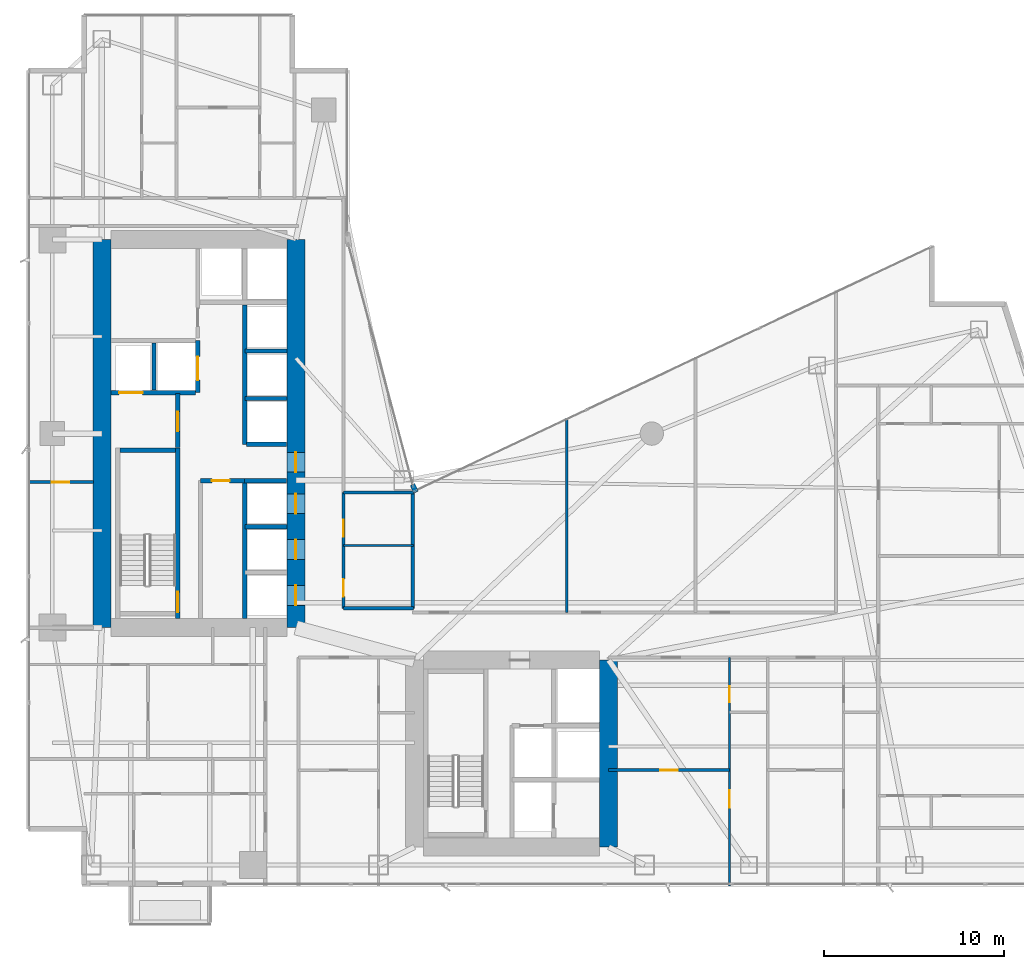
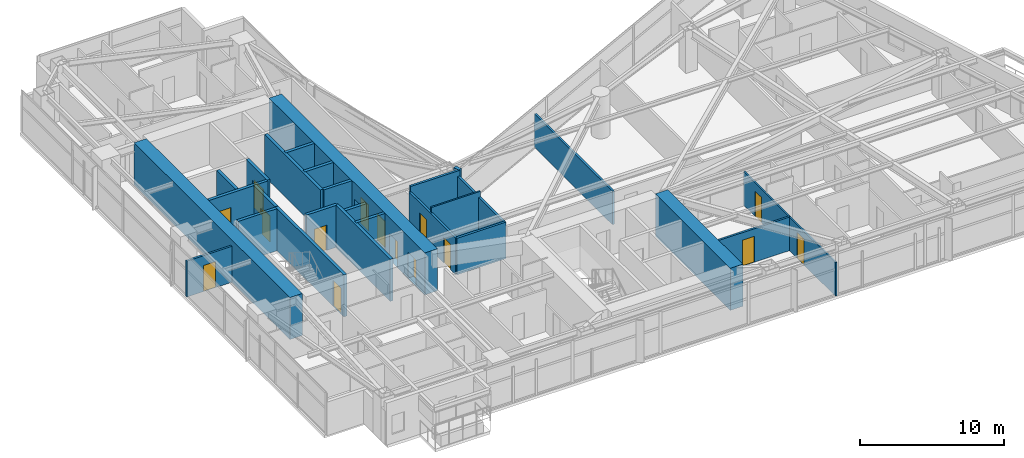
# One storey, part 23 of 29: 27 walls, 15 doors, 15 openings.
"""IFC4 building model written with IfcOpenShell, lengths in metres."""

from ifc_helpers import new_model, si_unit, direction, frame, frame_2d, origin, place, context, subcontext, project, spatial, rectangle, extrude, material, layer, layer_set, type_object, element, fill, save


model = new_model("IFC4")

# Units and contexts
model_context = context("Model", 3, precision=1e-05, world=origin(), true_north=direction((0.0, 1.0)))
body_context = subcontext(model_context, "Body", "Model", "MODEL_VIEW")
ifc_project = project(units=[si_unit("LENGTHUNIT", "METRE"), si_unit("AREAUNIT", "SQUARE_METRE"), si_unit("VOLUMEUNIT", "CUBIC_METRE"), si_unit("PLANEANGLEUNIT", "RADIAN"), si_unit("MASSUNIT", "GRAM", prefix="KILO")], contexts=[model_context])

# Site, building, storey
site_placement = place(None, origin())
site = spatial("IfcSite", under=ifc_project, at=site_placement, CompositionType="ELEMENT")
building_placement = place(site_placement, origin())
building = spatial("IfcBuilding", under=site, at=building_placement, Name="Calvorn Quay Hotel", CompositionType="ELEMENT")
storey_placement = place(building_placement, frame((0.0, 0.0, 34.60009765625)))
storey = spatial("IfcBuildingStorey", under=building, at=storey_placement, Name="L07", CompositionType="ELEMENT", Elevation=34.60009765625)

# Wall
ifc_material_1 = material(Name="Concrete C60", Category="concrete")
ifc_layer_1 = layer(ifc_material_1, 1.0)
ifc_layer_set_1 = layer_set([ifc_layer_1], Name="WL-CORE-1000")
wall_type_1 = type_object("IfcWallType", Name="WL-CORE-1000", PredefinedType="SHEAR", material=ifc_layer_set_1)
wall_1_placement = place(storey_placement, frame((4.199951171875, 16.800048828125, 0.0), z_axis=(0.0, 0.0, 1.0), x_axis=(0.0, 1.0, 0.0)))
element("IfcWall", 1, at=wall_1_placement, inside=storey, type_object=wall_type_1, Name="West Core Shear Wall W (L07)", PredefinedType="SHEAR", context=body_context, shape_type="SweptSolid", body=[
    extrude(rectangle(XDim=21.599853515625, YDim=1.0, at=frame_2d((10.7998046875, 0.0))), origin(), (0.0, 0.0, 1.0), 3.559814453125),
])

# Wall, openings, doors
wall_2_placement = place(storey_placement, frame((15.0, 16.800048828125, 0.0), z_axis=(0.0, 0.0, 1.0), x_axis=(0.0, 1.0, 0.0)))
wall_2 = element("IfcWall", 2, at=wall_2_placement, inside=storey, type_object=wall_type_1, Name="West Core Shear Wall E (L07)", PredefinedType="SHEAR", context=body_context, shape_type="SweptSolid", body=[
    extrude(rectangle(XDim=21.599853515625, YDim=1.0, at=frame_2d((10.7998046875, 0.0))), origin(), (0.0, 0.0, 1.0), 3.559814453125),
])
opening_1_placement = place(wall_2_placement, frame((8.64990234375, 0.0, 0.0)))
opening_1 = element("IfcOpeningElement", 3, at=opening_1_placement, cuts=wall_2, Name="Opening D-L07-CW1", PredefinedType="OPENING", context=body_context, shape_type="SweptSolid", body=[
    extrude(rectangle(XDim=1.10009765625, YDim=2.199951171875, at=frame_2d((0.550048828125, 1.10009765625))), frame((0.0, 0.510009765625, 0.0), z_axis=(0.0, -1.0, 0.0), x_axis=(1.0, 0.0, 0.0)), (0.0, 0.0, 1.0), 1.02001953125),
])
opening_2_placement = place(wall_2_placement, frame((1.25, 0.0, 0.0)))
opening_2 = element("IfcOpeningElement", 4, at=opening_2_placement, cuts=wall_2, Name="Opening LD-L07-L1", PredefinedType="OPENING", context=body_context, shape_type="SweptSolid", body=[
    extrude(rectangle(XDim=1.10009765625, YDim=2.199951171875, at=frame_2d((0.550048828125, 1.10009765625))), frame((0.0, 0.510009765625, 0.0), z_axis=(0.0, -1.0, 0.0), x_axis=(1.0, 0.0, 0.0)), (0.0, 0.0, 1.0), 1.02001953125),
])
opening_3_placement = place(wall_2_placement, frame((3.800048828125, 0.0, 0.0)))
opening_3 = element("IfcOpeningElement", 5, at=opening_3_placement, cuts=wall_2, Name="Opening LD-L07-L2", PredefinedType="OPENING", context=body_context, shape_type="SweptSolid", body=[
    extrude(rectangle(XDim=1.10009765625, YDim=2.199951171875, at=frame_2d((0.550048828125, 1.10009765625))), frame((0.0, 0.510009765625, 0.0), z_axis=(0.0, -1.0, 0.0), x_axis=(1.0, 0.0, 0.0)), (0.0, 0.0, 1.0), 1.02001953125),
])
opening_4_placement = place(wall_2_placement, frame((6.35009765625, 0.0, 0.0)))
opening_4 = element("IfcOpeningElement", 6, at=opening_4_placement, cuts=wall_2, Name="Opening LD-L07-L3", PredefinedType="OPENING", context=body_context, shape_type="SweptSolid", body=[
    extrude(rectangle(XDim=1.10009765625, YDim=2.199951171875, at=frame_2d((0.550048828125, 1.10009765625))), frame((0.0, 0.510009765625, 0.0), z_axis=(0.0, -1.0, 0.0), x_axis=(1.0, 0.0, 0.0)), (0.0, 0.0, 1.0), 1.02001953125),
])
ifc_material_2 = material(Name="Smoke-Sealed Steel Class A Fire Door", Category="steel")
door_type_1 = type_object("IfcDoorType", Name="DR-FFLOBBY-1100", OperationType="NOTDEFINED", PredefinedType="DOOR", material=ifc_material_2)
door_1_placement = place(opening_1_placement, origin())
door_1 = element("IfcDoor", 7, at=door_1_placement, inside=storey, type_object=door_type_1, Name="West Core Vestibule Fire Door (L07)", OperationType="SINGLE_SWING_RIGHT", OverallHeight=2.199951171875, OverallWidth=1.10009765625, PredefinedType="DOOR", context=body_context, shape_type="SweptSolid", body=[
    extrude(rectangle(XDim=1.10009765625, YDim=2.199951171875, at=frame_2d((0.550048828125, 1.10009765625))), frame((0.0, 0.02490234375, 0.0), z_axis=(0.0, -1.0, 0.0), x_axis=(1.0, 0.0, 0.0)), (0.0, 0.0, 1.0), 0.050048828125),
])
fill(opening_1, door_1)
ifc_material_3 = material(Name="Brushed Stainless Steel Sliding Lift Landing Door", Category="steel")
door_type_2 = type_object("IfcDoorType", Name="DR-LIFT-PASS-1100", OperationType="NOTDEFINED", PredefinedType="DOOR", material=ifc_material_3)
door_2_placement = place(opening_2_placement, origin())
door_2 = element("IfcDoor", 8, at=door_2_placement, inside=storey, type_object=door_type_2, Name="Low-Rise Lift PL-L1 Landing Door (L07)", OperationType="DOUBLE_DOOR_SLIDING", OverallHeight=2.199951171875, OverallWidth=1.10009765625, PredefinedType="DOOR", context=body_context, shape_type="SweptSolid", body=[
    extrude(rectangle(XDim=1.10009765625, YDim=2.199951171875, at=frame_2d((0.550048828125, 1.10009765625))), frame((0.0, 0.02490234375, 0.0), z_axis=(0.0, -1.0, 0.0), x_axis=(1.0, 0.0, 0.0)), (0.0, 0.0, 1.0), 0.050048828125),
])
fill(opening_2, door_2)
door_3_placement = place(opening_3_placement, origin())
door_3 = element("IfcDoor", 9, at=door_3_placement, inside=storey, type_object=door_type_2, Name="Low-Rise Lift PL-L2 Landing Door (L07)", OperationType="DOUBLE_DOOR_SLIDING", OverallHeight=2.199951171875, OverallWidth=1.10009765625, PredefinedType="DOOR", context=body_context, shape_type="SweptSolid", body=[
    extrude(rectangle(XDim=1.10009765625, YDim=2.199951171875, at=frame_2d((0.550048828125, 1.10009765625))), frame((0.0, 0.02490234375, 0.0), z_axis=(0.0, -1.0, 0.0), x_axis=(1.0, 0.0, 0.0)), (0.0, 0.0, 1.0), 0.050048828125),
])
fill(opening_3, door_3)
door_4_placement = place(opening_4_placement, origin())
door_4 = element("IfcDoor", 10, at=door_4_placement, inside=storey, type_object=door_type_2, Name="Low-Rise Lift PL-L3 Landing Door (L07)", OperationType="DOUBLE_DOOR_SLIDING", OverallHeight=2.199951171875, OverallWidth=1.10009765625, PredefinedType="DOOR", context=body_context, shape_type="SweptSolid", body=[
    extrude(rectangle(XDim=1.10009765625, YDim=2.199951171875, at=frame_2d((0.550048828125, 1.10009765625))), frame((0.0, 0.02490234375, 0.0), z_axis=(0.0, -1.0, 0.0), x_axis=(1.0, 0.0, 0.0)), (0.0, 0.0, 1.0), 0.050048828125),
])
fill(opening_4, door_4)

# Walls
wall_3_placement = place(storey_placement, frame((32.39990234375, 4.60009765625, 0.0), z_axis=(0.0, 0.0, 1.0), x_axis=(0.0, 1.0, 0.0)))
element("IfcWall", 11, at=wall_3_placement, inside=storey, type_object=wall_type_1, Name="East Core Shear Wall E (L07)", PredefinedType="SHEAR", context=body_context, shape_type="SweptSolid", body=[
    extrude(rectangle(XDim=10.39990234375, YDim=1.0, at=frame_2d((5.199951171875, 0.0))), origin(), (0.0, 0.0, 1.0), 3.559814453125),
])
ifc_material_4 = material(Name="Acoustic Fireboard Steel-Stud Partition", Category="steel")
ifc_layer_2 = layer(ifc_material_4, 0.179931640625)
ifc_layer_set_2 = layer_set([ifc_layer_2], Name="WL-CORR-FIRE-180")
wall_type_2 = type_object("IfcWallType", Name="WL-CORR-FIRE-180", PredefinedType="PARTITIONING", material=ifc_layer_set_2)
wall_4_placement = place(storey_placement, frame((17.64990234375, 17.8798828125, 0.0), z_axis=(0.0, 0.0, 1.0), x_axis=(1.0, 0.0, 0.0)))
element("IfcWall", 12, at=wall_4_placement, inside=storey, type_object=wall_type_2, Name="Partition Wall L07-WL-HK-S", PredefinedType="PARTITIONING", context=body_context, shape_type="SweptSolid", body=[
    extrude(rectangle(XDim=3.900146484375, YDim=0.179931640625, at=frame_2d((1.9501953125, 0.0))), origin(), (0.0, 0.0, 1.0), 3.08984375),
])
wall_5_placement = place(storey_placement, frame((17.64990234375, 24.320068359375, 0.0), z_axis=(0.0, 0.0, 1.0), x_axis=(1.0, 0.0, 0.0)))
element("IfcWall", 13, at=wall_5_placement, inside=storey, type_object=wall_type_2, Name="Partition Wall L07-WL-HK-N", PredefinedType="PARTITIONING", context=body_context, shape_type="SweptSolid", body=[
    extrude(rectangle(XDim=3.9501953125, YDim=0.179931640625, at=frame_2d((1.97509765625, 0.0))), origin(), (0.0, 0.0, 1.0), 3.559814453125),
])
wall_6_placement = place(storey_placement, frame((21.5, 17.8798828125, 0.0), z_axis=(0.0, 0.0, 1.0), x_axis=(0.0, 1.0, 0.0)))
element("IfcWall", 14, at=wall_6_placement, inside=storey, type_object=wall_type_2, Name="Partition Wall L07-WL-HK-E", PredefinedType="PARTITIONING", context=body_context, shape_type="SweptSolid", body=[
    extrude(rectangle(XDim=6.440185546875, YDim=0.179931640625, at=frame_2d((3.22021484375, 0.0))), origin(), (0.0, 0.0, 1.0), 3.08984375),
])

# Wall, openings, doors
wall_7_placement = place(storey_placement, frame((17.64990234375, 17.8798828125, 0.0), z_axis=(0.0, 0.0, 1.0), x_axis=(0.0, 1.0, 0.0)))
wall_7 = element("IfcWall", 15, at=wall_7_placement, inside=storey, type_object=wall_type_2, Name="Partition Wall L07-WL-HK-W", PredefinedType="PARTITIONING", context=body_context, shape_type="SweptSolid", body=[
    extrude(rectangle(XDim=6.440185546875, YDim=0.179931640625, at=frame_2d((3.22021484375, 0.0))), origin(), (0.0, 0.0, 1.0), 3.08984375),
])
opening_5_placement = place(wall_7_placement, frame((0.64990234375, 0.0, 0.0)))
opening_5 = element("IfcOpeningElement", 16, at=opening_5_placement, cuts=wall_7, Name="Opening D-L07-HK", PredefinedType="OPENING", context=body_context, shape_type="SweptSolid", body=[
    extrude(rectangle(XDim=0.97998046875, YDim=2.14990234375, at=frame_2d((0.489990234375, 1.074951171875))), frame((0.0, 0.099853515625, 0.0), z_axis=(0.0, -1.0, 0.0), x_axis=(1.0, 0.0, 0.0)), (0.0, 0.0, 1.0), 0.199951171875),
])
opening_6_placement = place(wall_7_placement, frame((3.969970703125, 0.0, 0.0)))
opening_6 = element("IfcOpeningElement", 17, at=opening_6_placement, cuts=wall_7, Name="Opening D-L07-NCP", PredefinedType="OPENING", context=body_context, shape_type="SweptSolid", body=[
    extrude(rectangle(XDim=0.9599609375, YDim=2.199951171875, at=frame_2d((0.47998046875, 1.10009765625))), frame((0.0, 0.099853515625, 0.0), z_axis=(0.0, -1.0, 0.0), x_axis=(1.0, 0.0, 0.0)), (0.0, 0.0, 1.0), 0.199951171875),
])
ifc_material_5 = material(Name="Painted Steel Housekeeping/Riser Fire Door", Category="steel")
door_type_3 = type_object("IfcDoorType", Name="DR-SERVICE-980", OperationType="NOTDEFINED", PredefinedType="DOOR", material=ifc_material_5)
door_5_placement = place(opening_5_placement, origin())
door_5 = element("IfcDoor", 18, at=door_5_placement, inside=storey, type_object=door_type_3, Name="Floor Housekeeping Door (L07)", OperationType="SINGLE_SWING_LEFT", OverallHeight=2.14990234375, OverallWidth=0.97998046875, PredefinedType="DOOR", context=body_context, shape_type="SweptSolid", body=[
    extrude(rectangle(XDim=0.97998046875, YDim=2.14990234375, at=frame_2d((0.489990234375, 1.074951171875))), frame((0.0, 0.02490234375, 0.0), z_axis=(0.0, -1.0, 0.0), x_axis=(1.0, 0.0, 0.0)), (0.0, 0.0, 1.0), 0.050048828125),
])
fill(opening_5, door_5)
ifc_material_6 = material(Name="Solid Timber Internal Suite Door", Category="wood")
door_type_4 = type_object("IfcDoorType", Name="DR-SUITE-INT-960", OperationType="NOTDEFINED", PredefinedType="DOOR", material=ifc_material_6)
door_6_placement = place(opening_6_placement, origin())
door_6 = element("IfcDoor", 19, at=door_6_placement, inside=storey, type_object=door_type_4, Name="Reading Alcove Door (L07)", OperationType="SINGLE_SWING_RIGHT", OverallHeight=2.199951171875, OverallWidth=0.9599609375, PredefinedType="DOOR", context=body_context, shape_type="SweptSolid", body=[
    extrude(rectangle(XDim=0.9599609375, YDim=2.199951171875, at=frame_2d((0.47998046875, 1.10009765625))), frame((0.0, 0.02490234375, 0.0), z_axis=(0.0, -1.0, 0.0), x_axis=(1.0, 0.0, 0.0)), (0.0, 0.0, 1.0), 0.050048828125),
])
fill(opening_6, door_6)

# Wall
ifc_material_7 = material(Name="Moisture-Resistant Tile-Backed Partition")
ifc_layer_3 = layer(ifc_material_7, 0.125)
ifc_layer_set_3 = layer_set([ifc_layer_3], Name="WL-ENSUITE-125")
wall_type_3 = type_object("IfcWallType", Name="WL-ENSUITE-125", PredefinedType="PARTITIONING", material=ifc_layer_set_3)
wall_8_placement = place(storey_placement, frame((17.64990234375, 21.3798828125, 0.0), z_axis=(0.0, 0.0, 1.0), x_axis=(1.0, 0.0, 0.0)))
element("IfcWall", 20, at=wall_8_placement, inside=storey, type_object=wall_type_3, Name="Partition Wall L07-WL-HK-M", PredefinedType="PARTITIONING", context=body_context, shape_type="SweptSolid", body=[
    extrude(rectangle(XDim=3.900146484375, YDim=0.125, at=frame_2d((1.9501953125, 0.0))), origin(), (0.0, 0.0, 1.0), 3.559814453125),
])

# Wall, openings, doors
wall_9_placement = place(storey_placement, frame((39.1201171875, 2.43994140625, 0.0), z_axis=(0.0, 0.0, 1.0), x_axis=(0.0, 1.0, 0.0)))
wall_9 = element("IfcWall", 21, at=wall_9_placement, inside=storey, type_object=wall_type_3, Name="Partition Wall L07-WL-U06-BV", PredefinedType="PARTITIONING", context=body_context, shape_type="SweptSolid", body=[
    extrude(rectangle(XDim=12.7099609375, YDim=0.125, at=frame_2d((6.35498046875, 0.0))), origin(), (0.0, 0.0, 1.0), 2.83984375),
])
opening_7_placement = place(wall_9_placement, frame((4.35009765625, 0.0, 0.0)))
opening_7 = element("IfcOpeningElement", 22, at=opening_7_placement, cuts=wall_9, Name="Opening D-L07-S06", PredefinedType="OPENING", context=body_context, shape_type="SweptSolid", body=[
    extrude(rectangle(XDim=0.9599609375, YDim=2.199951171875, at=frame_2d((0.47998046875, 1.10009765625))), frame((0.0, 0.072509765625, 0.0), z_axis=(0.0, -1.0, 0.0), x_axis=(1.0, 0.0, 0.0)), (0.0, 0.0, 1.0), 0.14501953125),
])
opening_8_placement = place(wall_9_placement, frame((10.2099609375, 0.0, 0.0)))
opening_8 = element("IfcOpeningElement", 23, at=opening_8_placement, cuts=wall_9, Name="Opening D-L07-E06", PredefinedType="OPENING", context=body_context, shape_type="SweptSolid", body=[
    extrude(rectangle(XDim=0.89990234375, YDim=2.14990234375, at=frame_2d((0.449951171875, 1.074951171875))), frame((0.0, 0.072509765625, 0.0), z_axis=(0.0, -1.0, 0.0), x_axis=(1.0, 0.0, 0.0)), (0.0, 0.0, 1.0), 0.14501953125),
])
ifc_material_8 = material(Name="Moisture-Sealed Timber En-Suite Door", Category="wood")
door_type_5 = type_object("IfcDoorType", Name="DR-ENSUITE-900", OperationType="NOTDEFINED", PredefinedType="DOOR", material=ifc_material_8)
door_7_placement = place(opening_8_placement, origin())
door_7 = element("IfcDoor", 24, at=door_7_placement, inside=storey, type_object=door_type_5, Name="En-Suite Door 06", OperationType="SINGLE_SWING_RIGHT", OverallHeight=2.14990234375, OverallWidth=0.89990234375, PredefinedType="DOOR", context=body_context, shape_type="SweptSolid", body=[
    extrude(rectangle(XDim=0.89990234375, YDim=2.14990234375, at=frame_2d((0.449951171875, 1.074951171875))), frame((0.0, 0.02490234375, 0.0), z_axis=(0.0, -1.0, 0.0), x_axis=(1.0, 0.0, 0.0)), (0.0, 0.0, 1.0), 0.050048828125),
])
fill(opening_8, door_7)
door_8_placement = place(opening_7_placement, origin())
door_8 = element("IfcDoor", 25, at=door_8_placement, inside=storey, type_object=door_type_4, Name="Harbour Tea Room Door 06", OperationType="SINGLE_SWING_LEFT", OverallHeight=2.199951171875, OverallWidth=0.9599609375, PredefinedType="DOOR", context=body_context, shape_type="SweptSolid", body=[
    extrude(rectangle(XDim=0.9599609375, YDim=2.199951171875, at=frame_2d((0.47998046875, 1.10009765625))), frame((0.0, 0.02490234375, 0.0), z_axis=(0.0, -1.0, 0.0), x_axis=(1.0, 0.0, 0.0)), (0.0, 0.0, 1.0), 0.050048828125),
])
fill(opening_7, door_8)

# Wall
ifc_material_9 = material(Name="Concrete C40", Category="concrete")
ifc_layer_4 = layer(ifc_material_9, 0.320068359375)
ifc_layer_set_4 = layer_set([ifc_layer_4], Name="WL-EXT-SPANDREL-320")
wall_type_4 = type_object("IfcWallType", Name="WL-EXT-SPANDREL-320", PredefinedType="SOLIDWALL", material=ifc_layer_set_4)
wall_10_placement = place(storey_placement, frame((21.679931640625, 24.340087890625, 0.0), z_axis=(0.0, 0.0, 1.0), x_axis=(-0.40758134973, 0.913168901875, 0.0)))
element("IfcWall", 26, at=wall_10_placement, inside=storey, type_object=wall_type_4, Name="Inner Court Corner Pier L07-ICJ1", PredefinedType="SOLIDWALL", context=body_context, shape_type="SweptSolid", body=[
    extrude(rectangle(XDim=0.470703125, YDim=0.280029296875, at=frame_2d((0.2353515625, 0.0))), origin(), (0.0, 0.0, 1.0), 3.559814453125),
])

# Wall, opening, door
ifc_material_10 = material(Name="Double-Stud Acoustic Gypsum Partition")
ifc_layer_5 = layer(ifc_material_10, 0.159912109375)
ifc_layer_set_5 = layer_set([ifc_layer_5], Name="WL-INTERSUITE-160")
wall_type_5 = type_object("IfcWallType", Name="WL-INTERSUITE-160", PredefinedType="PARTITIONING", material=ifc_layer_set_5)
wall_11_placement = place(storey_placement, frame((0.080078125, 24.89990234375, 0.0), z_axis=(0.0, 0.0, 1.0), x_axis=(1.0, 0.0, 0.0)))
wall_11 = element("IfcWall", 27, at=wall_11_placement, inside=storey, type_object=wall_type_5, Name="Partition Wall L07-WL-WBAY-DIV", PredefinedType="PARTITIONING", context=body_context, shape_type="SweptSolid", body=[
    extrude(rectangle(XDim=3.64990234375, YDim=0.159912109375, at=frame_2d((1.824951171875, 0.0))), origin(), (0.0, 0.0, 1.0), 3.039794921875),
])
opening_9_placement = place(wall_11_placement, frame((1.35009765625, 0.0, 0.0)))
opening_9 = element("IfcOpeningElement", 28, at=opening_9_placement, cuts=wall_11, Name="Opening D-L07-WBD", PredefinedType="OPENING", context=body_context, shape_type="SweptSolid", body=[
    extrude(rectangle(XDim=0.9599609375, YDim=2.199951171875, at=frame_2d((0.47998046875, 1.10009765625))), frame((0.0, 0.08984375, 0.0), z_axis=(0.0, -1.0, 0.0), x_axis=(1.0, 0.0, 0.0)), (0.0, 0.0, 1.0), 0.179931640625),
])
door_9_placement = place(opening_9_placement, origin())
door_9 = element("IfcDoor", 29, at=door_9_placement, inside=storey, type_object=door_type_4, Name="West Bay Connecting Door (L07)", OperationType="SINGLE_SWING_LEFT", OverallHeight=2.199951171875, OverallWidth=0.9599609375, PredefinedType="DOOR", context=body_context, shape_type="SweptSolid", body=[
    extrude(rectangle(XDim=0.9599609375, YDim=2.199951171875, at=frame_2d((0.47998046875, 1.10009765625))), frame((0.0, 0.02490234375, 0.0), z_axis=(0.0, -1.0, 0.0), x_axis=(1.0, 0.0, 0.0)), (0.0, 0.0, 1.0), 0.050048828125),
])
fill(opening_9, door_9)

wall_12_placement = place(storey_placement, frame((32.39990234375, 8.8798828125, 0.0), z_axis=(0.0, 0.0, 1.0), x_axis=(1.0, 0.0, 0.0)))
wall_12 = element("IfcWall", 30, at=wall_12_placement, inside=storey, type_object=wall_type_5, Name="Partition Wall L07-WL-U06-MSP", PredefinedType="PARTITIONING", context=body_context, shape_type="SweptSolid", body=[
    extrude(rectangle(XDim=6.72021484375, YDim=0.159912109375, at=frame_2d((3.360107421875, 0.0))), origin(), (0.0, 0.0, 1.0), 2.83984375),
])
opening_10_placement = place(wall_12_placement, frame((2.8798828125, 0.0, 0.0)))
opening_10 = element("IfcOpeningElement", 31, at=opening_10_placement, cuts=wall_12, Name="Opening D-L07-M06", PredefinedType="OPENING", context=body_context, shape_type="SweptSolid", body=[
    extrude(rectangle(XDim=0.9599609375, YDim=2.199951171875, at=frame_2d((0.47998046875, 1.10009765625))), frame((0.0, 0.08984375, 0.0), z_axis=(0.0, -1.0, 0.0), x_axis=(1.0, 0.0, 0.0)), (0.0, 0.0, 1.0), 0.179931640625),
])
door_10_placement = place(opening_10_placement, origin())
door_10 = element("IfcDoor", 32, at=door_10_placement, inside=storey, type_object=door_type_4, Name="Suite Bedroom Door 06", OperationType="SINGLE_SWING_LEFT", OverallHeight=2.199951171875, OverallWidth=0.9599609375, PredefinedType="DOOR", context=body_context, shape_type="SweptSolid", body=[
    extrude(rectangle(XDim=0.9599609375, YDim=2.199951171875, at=frame_2d((0.47998046875, 1.10009765625))), frame((0.0, 0.02490234375, 0.0), z_axis=(0.0, -1.0, 0.0), x_axis=(1.0, 0.0, 0.0)), (0.0, 0.0, 1.0), 0.050048828125),
])
fill(opening_10, door_10)

# Wall
wall_13_placement = place(storey_placement, frame((30.070068359375, 17.64990234375, 0.0), z_axis=(0.0, 0.0, 1.0), x_axis=(0.0, 1.0, 0.0)))
element("IfcWall", 33, at=wall_13_placement, inside=storey, type_object=wall_type_5, Name="Partition Wall L07-WL-NE-DIV-1", PredefinedType="PARTITIONING", context=body_context, shape_type="SweptSolid", body=[
    extrude(rectangle(XDim=10.830078125, YDim=0.159912109375, at=frame_2d((5.4150390625, 0.0))), origin(), (0.0, 0.0, 1.0), 2.83984375),
])

# Wall, opening, door
ifc_material_11 = material(Name="Concrete C40", Category="concrete")
ifc_layer_6 = layer(ifc_material_11, 0.239990234375)
ifc_layer_set_6 = layer_set([ifc_layer_6], Name="WL-SHAFT-240")
wall_type_6 = type_object("IfcWallType", Name="WL-SHAFT-240", PredefinedType="SOLIDWALL", material=ifc_layer_set_6)
wall_14_placement = place(storey_placement, frame((8.419921875, 17.300048828125, 0.0), z_axis=(0.0, 0.0, 1.0), x_axis=(0.0, 1.0, 0.0)))
wall_14 = element("IfcWall", 34, at=wall_14_placement, inside=storey, type_object=wall_type_6, Name="Stair STW Shaft Wall E (L07)", PredefinedType="SOLIDWALL", context=body_context, shape_type="SweptSolid", body=[
    extrude(rectangle(XDim=9.489990234375, YDim=0.239990234375, at=frame_2d((4.7451171875, 0.0))), origin(), (0.0, 0.0, 1.0), 3.559814453125),
])
opening_11_placement = place(wall_14_placement, frame((0.35009765625, 0.0, 0.0)))
opening_11 = element("IfcOpeningElement", 35, at=opening_11_placement, cuts=wall_14, Name="Opening D-L07-STW", PredefinedType="OPENING", context=body_context, shape_type="SweptSolid", body=[
    extrude(rectangle(XDim=1.14990234375, YDim=2.199951171875, at=frame_2d((0.574951171875, 1.10009765625))), frame((0.0, 0.1298828125, 0.0), z_axis=(0.0, -1.0, 0.0), x_axis=(1.0, 0.0, 0.0)), (0.0, 0.0, 1.0), 0.260009765625),
])
ifc_material_12 = material(Name="Galvanised Steel Class A Fire Door", Category="steel")
door_type_6 = type_object("IfcDoorType", Name="DR-STAIR-SMOKE-1150", OperationType="NOTDEFINED", PredefinedType="DOOR", material=ifc_material_12)
door_11_placement = place(opening_11_placement, origin())
door_11 = element("IfcDoor", 36, at=door_11_placement, inside=storey, type_object=door_type_6, Name="Stair ST-W Fire Door (L07)", OperationType="SINGLE_SWING_LEFT", OverallHeight=2.199951171875, OverallWidth=1.14990234375, PredefinedType="DOOR", context=body_context, shape_type="SweptSolid", body=[
    extrude(rectangle(XDim=1.14990234375, YDim=2.199951171875, at=frame_2d((0.574951171875, 1.10009765625))), frame((0.0, 0.02490234375, 0.0), z_axis=(0.0, -1.0, 0.0), x_axis=(1.0, 0.0, 0.0)), (0.0, 0.0, 1.0), 0.050048828125),
])
fill(opening_11, door_11)

# Walls
wall_15_placement = place(storey_placement, frame((5.199951171875, 26.669921875, 0.0), z_axis=(0.0, 0.0, 1.0), x_axis=(1.0, 0.0, 0.0)))
element("IfcWall", 37, at=wall_15_placement, inside=storey, type_object=wall_type_6, Name="Stair STW Shaft Wall N (L07)", PredefinedType="SOLIDWALL", context=body_context, shape_type="SweptSolid", body=[
    extrude(rectangle(XDim=3.10009765625, YDim=0.239990234375, at=frame_2d((1.550048828125, 0.0))), origin(), (0.0, 0.0, 1.0), 3.559814453125),
])
for number, where, z_axis, x_axis, name in (
    (38, (12.179931640625, 22.425048828125, 0.0), (0.0, 0.0, 1.0), (1.0, 0.0, 0.0), "Lift Hoistway Divider Wall PLL23 (L07)"),
    (39, (12.179931640625, 29.550048828125, 0.0), (0.0, 0.0, 1.0), (1.0, 0.0, 0.0), "Lift Hoistway Divider Wall PLM12 (L07)"),
    (40, (12.179931640625, 32.199951171875, 0.0), (0.0, 0.0, 1.0), (1.0, 0.0, 0.0), "Lift Hoistway Divider Wall PLM23 (L07)"),
):
    element("IfcWall", number, at=place(storey_placement, frame(where, z_axis=z_axis, x_axis=x_axis)), inside=storey, type_object=wall_type_6, Name=name, PredefinedType="SOLIDWALL", context=body_context, shape_type="SweptSolid", body=[
        extrude(rectangle(XDim=2.320068359375, YDim=0.239990234375, at=frame_2d((1.16015625, 0.0))), origin(), (0.0, 0.0, 1.0), 3.559814453125),
    ])

# Wall, opening, door
wall_16_placement = place(storey_placement, frame((8.419921875, 26.820068359375, 0.0), z_axis=(0.0, 0.0, 1.0), x_axis=(0.0, 1.0, 0.0)))
wall_16 = element("IfcWall", 41, at=wall_16_placement, inside=storey, type_object=wall_type_6, Name="Partition Wall L07-WL-CWW-FFL-E", PredefinedType="SOLIDWALL", context=body_context, shape_type="SweptSolid", body=[
    extrude(rectangle(XDim=3.0, YDim=0.239990234375, at=frame_2d((1.5, 0.0))), origin(), (0.0, 0.0, 1.0), 3.559814453125),
])
opening_12_placement = place(wall_16_placement, frame((0.89990234375, 0.0, 0.0)))
opening_12 = element("IfcOpeningElement", 42, at=opening_12_placement, cuts=wall_16, Name="Opening D-L07-FLW", PredefinedType="OPENING", context=body_context, shape_type="SweptSolid", body=[
    extrude(rectangle(XDim=1.10009765625, YDim=2.199951171875, at=frame_2d((0.550048828125, 1.10009765625))), frame((0.0, 0.1298828125, 0.0), z_axis=(0.0, -1.0, 0.0), x_axis=(1.0, 0.0, 0.0)), (0.0, 0.0, 1.0), 0.260009765625),
])
door_12_placement = place(opening_12_placement, origin())
door_12 = element("IfcDoor", 43, at=door_12_placement, inside=storey, type_object=door_type_1, Name="West Firefighting Lobby Fire Door (L07)", OperationType="SINGLE_SWING_RIGHT", OverallHeight=2.199951171875, OverallWidth=1.10009765625, PredefinedType="DOOR", context=body_context, shape_type="SweptSolid", body=[
    extrude(rectangle(XDim=1.10009765625, YDim=2.199951171875, at=frame_2d((0.550048828125, 1.10009765625))), frame((0.0, 0.02490234375, 0.0), z_axis=(0.0, -1.0, 0.0), x_axis=(1.0, 0.0, 0.0)), (0.0, 0.0, 1.0), 0.050048828125),
])
fill(opening_12, door_12)

wall_17_placement = place(storey_placement, frame((4.719970703125, 29.8798828125, 0.0), z_axis=(0.0, 0.0, 1.0), x_axis=(1.0, 0.0, 0.0)))
wall_17 = element("IfcWall", 44, at=wall_17_placement, inside=storey, type_object=wall_type_6, Name="Partition Wall L07-WL-CWW-FLW-S", PredefinedType="SOLIDWALL", context=body_context, shape_type="SweptSolid", body=[
    extrude(rectangle(XDim=4.699951171875, YDim=0.239990234375, at=frame_2d((2.35009765625, 0.0))), origin(), (0.0, 0.0, 1.0), 3.559814453125),
])
opening_13_placement = place(wall_17_placement, frame((0.449951171875, 0.0, 0.0)))
opening_13 = element("IfcOpeningElement", 45, at=opening_13_placement, cuts=wall_17, Name="Opening LD-L07-FLW1", PredefinedType="OPENING", context=body_context, shape_type="SweptSolid", body=[
    extrude(rectangle(XDim=1.300048828125, YDim=2.35009765625, at=frame_2d((0.64990234375, 1.175048828125))), frame((0.0, 0.1298828125, 0.0), z_axis=(0.0, -1.0, 0.0), x_axis=(1.0, 0.0, 0.0)), (0.0, 0.0, 1.0), 0.260009765625),
])
ifc_material_13 = material(Name="Champagne-Bronze Sliding Express Lift Landing Door")
door_type_7 = type_object("IfcDoorType", Name="DR-LIFT-SHUTTLE-1300", OperationType="NOTDEFINED", PredefinedType="DOOR", material=ifc_material_13)
door_13_placement = place(opening_13_placement, origin())
door_13 = element("IfcDoor", 46, at=door_13_placement, inside=storey, type_object=door_type_7, Name="Firefighting Lift FL-W1 Landing Door (L07)", OperationType="DOUBLE_DOOR_SLIDING", OverallHeight=2.35009765625, OverallWidth=1.300048828125, PredefinedType="DOOR", context=body_context, shape_type="SweptSolid", body=[
    extrude(rectangle(XDim=1.300048828125, YDim=2.35009765625, at=frame_2d((0.64990234375, 1.175048828125))), frame((0.0, 0.02490234375, 0.0), z_axis=(0.0, -1.0, 0.0), x_axis=(1.0, 0.0, 0.0)), (0.0, 0.0, 1.0), 0.050048828125),
])
fill(opening_13, door_13)

# Wall
wall_18_placement = place(storey_placement, frame((7.10009765625, 30.02001953125, 0.0), z_axis=(0.0, 0.0, 1.0), x_axis=(0.0, 1.0, 0.0)))
element("IfcWall", 47, at=wall_18_placement, inside=storey, type_object=wall_type_6, Name="Partition Wall L07-WL-CWW-FLW-DIV", PredefinedType="SOLIDWALL", context=body_context, shape_type="SweptSolid", body=[
    extrude(rectangle(XDim=2.6298828125, YDim=0.239990234375, at=frame_2d((1.31494140625, 0.0))), origin(), (0.0, 0.0, 1.0), 3.559814453125),
])

# Wall, opening, door
wall_19_placement = place(storey_placement, frame((9.5400390625, 29.8798828125, 0.0), z_axis=(0.0, 0.0, 1.0), x_axis=(0.0, 1.0, 0.0)))
wall_19 = element("IfcWall", 48, at=wall_19_placement, inside=storey, type_object=wall_type_6, Name="Partition Wall L07-WL-CWW-SLW-E", PredefinedType="SOLIDWALL", context=body_context, shape_type="SweptSolid", body=[
    extrude(rectangle(XDim=2.900146484375, YDim=0.239990234375, at=frame_2d((1.4501953125, 0.0))), origin(), (0.0, 0.0, 1.0), 3.559814453125),
])
opening_14_placement = place(wall_19_placement, frame((0.699951171875, 0.0, 0.0)))
opening_14 = element("IfcOpeningElement", 49, at=opening_14_placement, cuts=wall_19, Name="Opening LD-L07-SLW1", PredefinedType="OPENING", context=body_context, shape_type="SweptSolid", body=[
    extrude(rectangle(XDim=1.300048828125, YDim=2.35009765625, at=frame_2d((0.64990234375, 1.175048828125))), frame((0.0, 0.1298828125, 0.0), z_axis=(0.0, -1.0, 0.0), x_axis=(1.0, 0.0, 0.0)), (0.0, 0.0, 1.0), 0.260009765625),
])
door_14_placement = place(opening_14_placement, origin())
door_14 = element("IfcDoor", 50, at=door_14_placement, inside=storey, type_object=door_type_7, Name="Service Lift SL-W1 Landing Door (L07)", OperationType="DOUBLE_DOOR_SLIDING", OverallHeight=2.35009765625, OverallWidth=1.300048828125, PredefinedType="DOOR", context=body_context, shape_type="SweptSolid", body=[
    extrude(rectangle(XDim=1.300048828125, YDim=2.35009765625, at=frame_2d((0.64990234375, 1.175048828125))), frame((0.0, 0.02490234375, 0.0), z_axis=(0.0, -1.0, 0.0), x_axis=(1.0, 0.0, 0.0)), (0.0, 0.0, 1.0), 0.050048828125),
])
fill(opening_14, door_14)

# Wall
wall_20_placement = place(storey_placement, frame((12.14990234375, 17.320068359375, 0.0), z_axis=(0.0, 0.0, 1.0), x_axis=(0.0, 1.0, 0.0)))
element("IfcWall", 51, at=wall_20_placement, inside=storey, type_object=wall_type_6, Name="Partition Wall L07-WL-CWW-PLL-W", PredefinedType="SOLIDWALL", context=body_context, shape_type="SweptSolid", body=[
    extrude(rectangle(XDim=7.64990234375, YDim=0.239990234375, at=frame_2d((3.824951171875, 0.0))), origin(), (0.0, 0.0, 1.0), 3.559814453125),
])

# Wall, opening, door
wall_21_placement = place(storey_placement, frame((9.679931640625, 24.969970703125, 0.0), z_axis=(0.0, 0.0, 1.0), x_axis=(1.0, 0.0, 0.0)))
wall_21 = element("IfcWall", 52, at=wall_21_placement, inside=storey, type_object=wall_type_6, Name="Partition Wall L07-WL-CWW-SER-N", PredefinedType="SOLIDWALL", context=body_context, shape_type="SweptSolid", body=[
    extrude(rectangle(XDim=2.469970703125, YDim=0.239990234375, at=frame_2d((1.23486328125, 0.0))), origin(), (0.0, 0.0, 1.0), 3.559814453125),
])
opening_15_placement = place(wall_21_placement, frame((0.64990234375, 0.0, 0.0)))
opening_15 = element("IfcOpeningElement", 53, at=opening_15_placement, cuts=wall_21, Name="Opening D-L07-CSR", PredefinedType="OPENING", context=body_context, shape_type="SweptSolid", body=[
    extrude(rectangle(XDim=0.97998046875, YDim=2.14990234375, at=frame_2d((0.489990234375, 1.074951171875))), frame((0.0, 0.1298828125, 0.0), z_axis=(0.0, -1.0, 0.0), x_axis=(1.0, 0.0, 0.0)), (0.0, 0.0, 1.0), 0.260009765625),
])
door_15_placement = place(opening_15_placement, origin())
door_15 = element("IfcDoor", 54, at=door_15_placement, inside=storey, type_object=door_type_3, Name="Core Service Closet Door (L07)", OperationType="SINGLE_SWING_LEFT", OverallHeight=2.14990234375, OverallWidth=0.97998046875, PredefinedType="DOOR", context=body_context, shape_type="SweptSolid", body=[
    extrude(rectangle(XDim=0.97998046875, YDim=2.14990234375, at=frame_2d((0.489990234375, 1.074951171875))), frame((0.0, 0.02490234375, 0.0), z_axis=(0.0, -1.0, 0.0), x_axis=(1.0, 0.0, 0.0)), (0.0, 0.0, 1.0), 0.050048828125),
])
fill(opening_15, door_15)

# Walls
wall_22_placement = place(storey_placement, frame((12.14990234375, 24.969970703125, 0.0), z_axis=(0.0, 0.0, 1.0), x_axis=(1.0, 0.0, 0.0)))
element("IfcWall", 55, at=wall_22_placement, inside=storey, type_object=wall_type_6, Name="Partition Wall L07-WL-CWW-PLL-SHN", PredefinedType="SOLIDWALL", context=body_context, shape_type="SweptSolid", body=[
    extrude(rectangle(XDim=2.330078125, YDim=0.239990234375, at=frame_2d((1.1650390625, 0.0))), origin(), (0.0, 0.0, 1.0), 2.83984375),
])
wall_23_placement = place(storey_placement, frame((12.25, 27.0, 0.0), z_axis=(0.0, 0.0, 1.0), x_axis=(1.0, 0.0, 0.0)))
element("IfcWall", 56, at=wall_23_placement, inside=storey, type_object=wall_type_6, Name="Partition Wall L07-WL-CWW-PLM-S", PredefinedType="SOLIDWALL", context=body_context, shape_type="SweptSolid", body=[
    extrude(rectangle(XDim=2.22998046875, YDim=0.239990234375, at=frame_2d((1.114990234375, 0.0))), origin(), (0.0, 0.0, 1.0), 3.559814453125),
])
wall_24_placement = place(storey_placement, frame((12.14990234375, 27.0, 0.0), z_axis=(0.0, 0.0, 1.0), x_axis=(0.0, 1.0, 0.0)))
element("IfcWall", 57, at=wall_24_placement, inside=storey, type_object=wall_type_6, Name="Partition Wall L07-WL-CWW-PLM-W", PredefinedType="SOLIDWALL", context=body_context, shape_type="SweptSolid", body=[
    extrude(rectangle(XDim=7.75, YDim=0.239990234375, at=frame_2d((3.875, 0.0))), origin(), (0.0, 0.0, 1.0), 3.559814453125),
])

save(model, "model.ifc")
